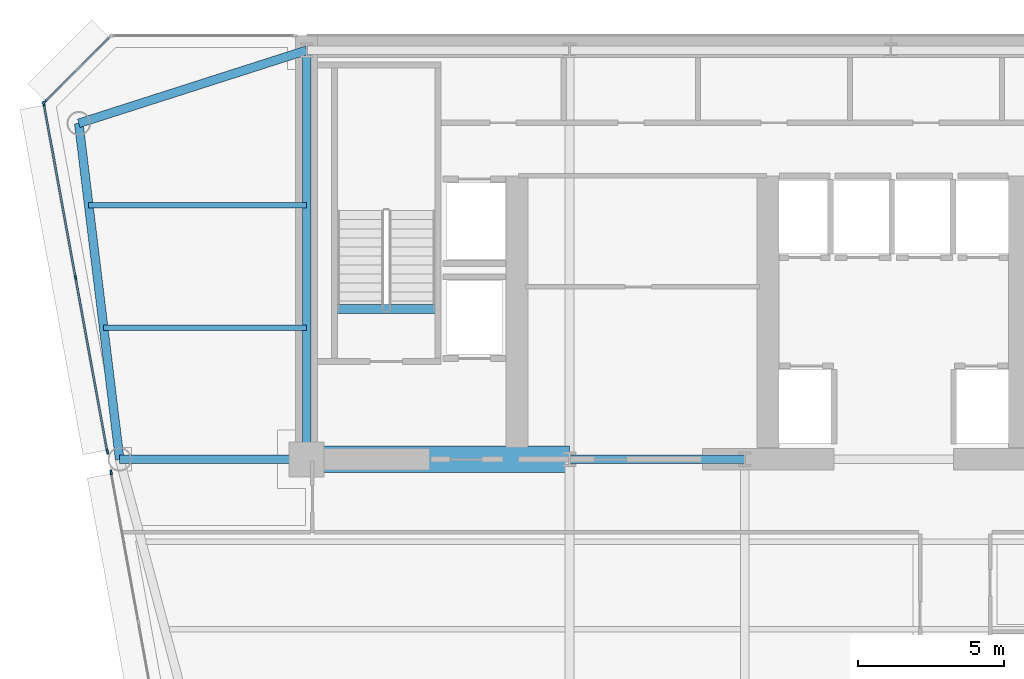
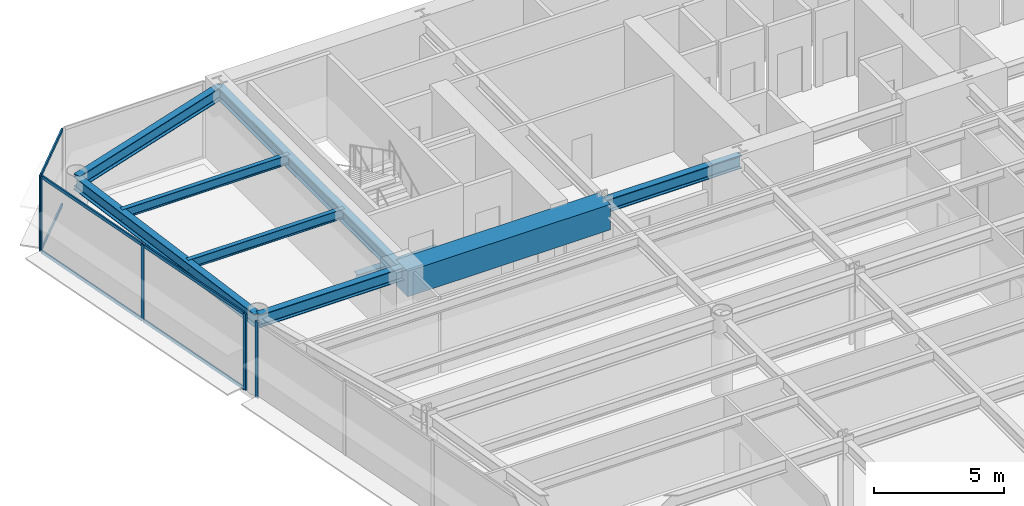
# One storey, part 7 of 17: 11 members, 9 beams, 3 elements without a shape of their own.
"""IFC4 building model written with IfcOpenShell, lengths in metres."""

from ifc_helpers import new_model, si_unit, direction, frame, origin, origin_2d, place, context, subcontext, project, spatial, rectangle, i_section, extrude, source, transform, mapped, material, layer, layer_set, material_profile, profile_set, type_object, element, aggregate, save


model = new_model("IFC4")

# Units and contexts
model_context = context("Model", 3, precision=1e-05, world=origin(), true_north=direction((0.0, 1.0)))
body_context = subcontext(model_context, "Body", "Model", "MODEL_VIEW")
ifc_project = project(units=[si_unit("LENGTHUNIT", "METRE"), si_unit("AREAUNIT", "SQUARE_METRE"), si_unit("VOLUMEUNIT", "CUBIC_METRE"), si_unit("PLANEANGLEUNIT", "RADIAN"), si_unit("MASSUNIT", "GRAM", prefix="KILO")], contexts=[model_context])

# Site, building, storey
site_placement = place(None, origin())
site = spatial("IfcSite", under=ifc_project, at=site_placement, CompositionType="ELEMENT")
building_placement = place(site_placement, origin())
building = spatial("IfcBuilding", under=site, at=building_placement, Name="Vaeldorn Concourse Tower", CompositionType="ELEMENT")
storey_placement = place(building_placement, frame((0.0, 0.0, 157.60009765625)))
storey = spatial("IfcBuildingStorey", under=building, at=storey_placement, Name="L40", CompositionType="ELEMENT", Elevation=157.60009765625)

# Beams
ifc_material_1 = material(Name="Concrete C60/75", Category="concrete")
ifc_material_profile_1 = material_profile(ifc_material_1, rectangle(XDim=0.89990234375, YDim=1.199951171875, at=origin_2d()), Name="RC 900x1200")
ifc_profile_set_1 = profile_set([ifc_material_profile_1], Name="Concrete C60/75")
beam_type_1 = type_object("IfcBeamType", Name="BM-CB-RC900", PredefinedType="BEAM", material=ifc_profile_set_1)
shared_shape_1 = source(origin(), body_context, "Body", "SweptSolid", [
    extrude(rectangle(XDim=0.89990234375, YDim=1.199951171875, at=origin_2d()), origin(), (0.0, 0.0, 1.0), 9.0),
])
beam_1_placement = place(storey_placement, frame((14.0, 36.5, 2.97998046875), z_axis=(1.0, 0.0, 0.0), x_axis=(0.0, 1.0, 0.0)))
element("IfcBeam", 1, at=beam_1_placement, inside=storey, type_object=beam_type_1, Name="Core Coupling Beam L40-1", PredefinedType="BEAM", context=body_context, shape_type="MappedRepresentation", body=[
    mapped(shared_shape_1, transform((0.0, 0.0, 0.0), scale=1.0)),
])
ifc_material_2 = material(Name="Steel S355", Category="steel")
ifc_material_profile_2 = material_profile(ifc_material_2, i_section(OverallWidth=0.300048828125, OverallDepth=0.340087890625, WebThickness=0.011962890625, FlangeThickness=0.021484375, FilletRadius=0.027099609375, at=origin_2d()), Name="HEB 340")
ifc_profile_set_2 = profile_set([ifc_material_profile_2], Name="Steel S355")
beam_type_2 = type_object("IfcBeamType", Name="BM-ST-TRIM", PredefinedType="BEAM", material=ifc_profile_set_2)
shared_shape_2 = source(origin(), body_context, "Body", "SweptSolid", [
    extrude(i_section(OverallWidth=0.300048828125, OverallDepth=0.340087890625, WebThickness=0.011962890625, FlangeThickness=0.021484375, FilletRadius=0.027099609375, at=origin_2d()), origin(), (0.0, 0.0, 1.0), 3.590087890625),
])
beam_2_placement = place(storey_placement, frame((14.929931640625, 41.639892578125, -0.39013671875), z_axis=(1.0, 0.0, 0.0), x_axis=(0.0, 1.0, 0.0)))
element("IfcBeam", 2, at=beam_2_placement, inside=storey, type_object=beam_type_2, Name="Stair Landing Trimmer Beam ST-1 L40", PredefinedType="BEAM", context=body_context, shape_type="MappedRepresentation", body=[
    mapped(shared_shape_2, transform((0.0, 0.0, 0.0), scale=1.0)),
])
ifc_material_profile_3 = material_profile(ifc_material_2, i_section(OverallWidth=0.18994140625, OverallDepth=0.449951171875, WebThickness=0.009521484375, FlangeThickness=0.0146484375, FilletRadius=0.02099609375, at=origin_2d()), Name="IPE 450")
ifc_profile_set_3 = profile_set([ifc_material_profile_3], Name="Steel S355")
beam_type_3 = type_object("IfcBeamType", Name="BM-JS-IPE450", PredefinedType="JOIST", material=ifc_profile_set_3)
shared_shape_3 = source(origin(), body_context, "Body", "SweptSolid", [
    extrude(i_section(OverallWidth=0.18994140625, OverallDepth=0.449951171875, WebThickness=0.009521484375, FlangeThickness=0.0146484375, FilletRadius=0.02099609375, at=origin_2d()), origin(), (0.0, 0.0, 1.0), 6.94775390625),
])
beam_3_placement = place(storey_placement, frame((7.05224609375, 41.0, 3.35498046875), z_axis=(1.0, 0.0, 0.0), x_axis=(0.0, 1.0, 0.0)))
element("IfcBeam", 3, at=beam_3_placement, inside=storey, type_object=beam_type_3, Name="Beam JS-L40-NW-410", PredefinedType="JOIST", context=body_context, shape_type="MappedRepresentation", body=[
    mapped(shared_shape_3, transform((0.0, 0.0, 0.0), scale=1.0)),
])
shared_shape_4 = source(origin(), body_context, "Body", "SweptSolid", [
    extrude(i_section(OverallWidth=0.18994140625, OverallDepth=0.449951171875, WebThickness=0.009521484375, FlangeThickness=0.0146484375, FilletRadius=0.02099609375, at=origin_2d()), origin(), (0.0, 0.0, 1.0), 7.458984375),
])
beam_4_placement = place(storey_placement, frame((6.541015625, 45.199951171875, 3.35498046875), z_axis=(1.0, 0.0, 0.0), x_axis=(0.0, 1.0, 0.0)))
element("IfcBeam", 4, at=beam_4_placement, inside=storey, type_object=beam_type_3, Name="Beam JS-L40-NW-452", PredefinedType="JOIST", context=body_context, shape_type="MappedRepresentation", body=[
    mapped(shared_shape_4, transform((0.0, 0.0, 0.0), scale=1.0)),
])
ifc_material_profile_4 = material_profile(ifc_material_2, i_section(OverallWidth=0.300048828125, OverallDepth=0.60009765625, WebThickness=0.015380859375, FlangeThickness=0.030029296875, FilletRadius=0.027099609375, at=origin_2d()), Name="HEB 600")
ifc_profile_set_4 = profile_set([ifc_material_profile_4], Name="Steel S355")
beam_type_4 = type_object("IfcBeamType", Name="BM-PG-HEB600", PredefinedType="BEAM", material=ifc_profile_set_4)
shared_shape_5 = source(origin(), body_context, "Body", "SweptSolid", [
    extrude(i_section(OverallWidth=0.300048828125, OverallDepth=0.60009765625, WebThickness=0.015380859375, FlangeThickness=0.030029296875, FilletRadius=0.027099609375, at=origin_2d()), origin(), (0.0, 0.0, 1.0), 6.0),
])
beam_5_placement = place(storey_placement, frame((23.0, 36.5, 3.27978515625), z_axis=(1.0, 0.0, 0.0), x_axis=(0.0, 1.0, 0.0)))
element("IfcBeam", 5, at=beam_5_placement, inside=storey, type_object=beam_type_4, Name="Beam BM-L40-C-FC2-C-FC3", PredefinedType="BEAM", context=body_context, shape_type="MappedRepresentation", body=[
    mapped(shared_shape_5, transform((0.0, 0.0, 0.0), scale=1.0)),
])
shared_shape_6 = source(origin(), body_context, "Body", "SweptSolid", [
    extrude(i_section(OverallWidth=0.300048828125, OverallDepth=0.60009765625, WebThickness=0.015380859375, FlangeThickness=0.030029296875, FilletRadius=0.027099609375, at=origin_2d()), origin(), (0.0, 0.0, 1.0), 14.0),
])
beam_6_placement = place(storey_placement, frame((14.0, 36.5, 3.27978515625), z_axis=(0.0, 1.0, 0.0), x_axis=(-1.0, 0.0, 0.0)))
element("IfcBeam", 6, at=beam_6_placement, inside=storey, type_object=beam_type_4, Name="Beam BM-L40-C-FC1-C-HC1", PredefinedType="BEAM", context=body_context, shape_type="MappedRepresentation", body=[
    mapped(shared_shape_6, transform((0.0, 0.0, 0.0), scale=1.0)),
])
shared_shape_7 = source(origin(), body_context, "Body", "SweptSolid", [
    extrude(i_section(OverallWidth=0.300048828125, OverallDepth=0.60009765625, WebThickness=0.015380859375, FlangeThickness=0.030029296875, FilletRadius=0.027099609375, at=origin_2d()), origin(), (0.0, 0.0, 1.0), 8.19091796875),
])
beam_7_placement = place(storey_placement, frame((6.199951171875, 48.0, 3.27978515625), z_axis=(0.952282843383, 0.305216949396, 0.0), x_axis=(-0.305216949396, 0.952282843383, 0.0)))
element("IfcBeam", 7, at=beam_7_placement, inside=storey, type_object=beam_type_4, Name="Beam BM-L40-C-NW1-C-HC1", PredefinedType="BEAM", context=body_context, shape_type="MappedRepresentation", body=[
    mapped(shared_shape_7, transform((0.0, 0.0, 0.0), scale=1.0)),
])
shared_shape_8 = source(origin(), body_context, "Body", "SweptSolid", [
    extrude(i_section(OverallWidth=0.300048828125, OverallDepth=0.60009765625, WebThickness=0.015380859375, FlangeThickness=0.030029296875, FilletRadius=0.027099609375, at=origin_2d()), origin(), (0.0, 0.0, 1.0), 11.5849609375),
])
beam_8_placement = place(storey_placement, frame((6.199951171875, 48.0, 3.27978515625), z_axis=(0.120859382899, -0.992669637677, 0.0), x_axis=(0.992669637677, 0.120859382899, 0.0)))
element("IfcBeam", 8, at=beam_8_placement, inside=storey, type_object=beam_type_4, Name="Beam BM-L40-C-NW1-C-NW2", PredefinedType="BEAM", context=body_context, shape_type="MappedRepresentation", body=[
    mapped(shared_shape_8, transform((0.0, 0.0, 0.0), scale=1.0)),
])
shared_shape_9 = source(origin(), body_context, "Body", "SweptSolid", [
    extrude(i_section(OverallWidth=0.300048828125, OverallDepth=0.60009765625, WebThickness=0.015380859375, FlangeThickness=0.030029296875, FilletRadius=0.027099609375, at=origin_2d()), origin(), (0.0, 0.0, 1.0), 6.39990234375),
])
beam_9_placement = place(storey_placement, frame((7.60009765625, 36.5, 3.27978515625), z_axis=(1.0, 0.0, 0.0), x_axis=(0.0, 1.0, 0.0)))
element("IfcBeam", 9, at=beam_9_placement, inside=storey, type_object=beam_type_4, Name="Beam BM-L40-C-NW2-C-FC1", PredefinedType="BEAM", context=body_context, shape_type="MappedRepresentation", body=[
    mapped(shared_shape_9, transform((0.0, 0.0, 0.0), scale=1.0)),
])

# Curtain wall, member
ifc_material_3 = material(Name="Anodised Bronze Aluminium", Category="aluminium")
ifc_layer = layer(ifc_material_3, 0.18994140625)
ifc_layer_set = layer_set([ifc_layer], Name="Anodised Bronze Aluminium")
curtain_wall_type = type_object("IfcCurtainWallType", Name="CW-SYS-03", PredefinedType="NOTDEFINED", material=ifc_layer_set)
curtain_wall_1_placement = place(storey_placement, origin())
curtain_wall_1 = element("IfcCurtainWall", 10, at=curtain_wall_1_placement, inside=storey, type_object=curtain_wall_type, Name="Unitised Curtain Wall CW-L40-E10-1", PredefinedType="NOTDEFINED")
ifc_material_profile_5 = material_profile(ifc_material_3, rectangle(XDim=0.06494140625, YDim=0.169921875, at=origin_2d()), Name="CWM 65x170")
ifc_profile_set_5 = profile_set([ifc_material_profile_5], Name="Anodised Bronze Aluminium")
member_type_1 = type_object("IfcMemberType", Name="CWM-BRONZE-170", PredefinedType="MULLION", material=ifc_profile_set_5)
shared_shape_10 = source(origin(), body_context, "Body", "SweptSolid", [
    extrude(rectangle(XDim=0.06494140625, YDim=0.169921875, at=origin_2d()), origin(), (0.0, 0.0, 1.0), 3.579833984375),
])
member_1_placement = place(storey_placement, frame((5.02294921875, 48.722900390625, 0.0), z_axis=(0.0, 0.0, 1.0), x_axis=(0.707106781187, -0.707106781187, 0.0)))
member_1 = element("IfcMember", 11, at=member_1_placement, type_object=member_type_1, Name="CW-03 mullion 2", PredefinedType="MULLION", context=body_context, shape_type="MappedRepresentation", body=[
    mapped(shared_shape_10, transform((0.0, 0.0, 0.0), scale=1.0)),
])

# Curtain wall, members
curtain_wall_2_placement = place(storey_placement, origin())
curtain_wall_2 = element("IfcCurtainWall", 12, at=curtain_wall_2_placement, inside=storey, type_object=curtain_wall_type, Name="Unitised Curtain Wall CW-L40-E11-1", PredefinedType="NOTDEFINED")
member_2_placement = place(storey_placement, frame((5.005859375, 48.66796875, 0.0), z_axis=(0.0, 0.0, 1.0), x_axis=(0.983767579285, 0.179447345892, 0.0)))
member_2 = element("IfcMember", 13, at=member_2_placement, type_object=member_type_1, Name="CW-03 mullion 1", PredefinedType="MULLION", context=body_context, shape_type="MappedRepresentation", body=[
    mapped(shared_shape_10, transform((0.0, 0.0, 0.0), scale=1.0)),
])
member_3_placement = place(storey_placement, frame((6.091796875, 42.71484375, 0.0), z_axis=(0.0, 0.0, 1.0), x_axis=(0.983767579285, 0.179447345892, 0.0)))
member_3 = element("IfcMember", 14, at=member_3_placement, type_object=member_type_1, Name="CW-03 mullion 2", PredefinedType="MULLION", context=body_context, shape_type="MappedRepresentation", body=[
    mapped(shared_shape_10, transform((0.0, 0.0, 0.0), scale=1.0)),
])
member_4_placement = place(storey_placement, frame((7.177734375, 36.761474609375, 0.0), z_axis=(0.0, 0.0, 1.0), x_axis=(0.983767579285, 0.179447345892, 0.0)))
member_4 = element("IfcMember", 15, at=member_4_placement, type_object=member_type_1, Name="CW-03 mullion 3", PredefinedType="MULLION", context=body_context, shape_type="MappedRepresentation", body=[
    mapped(shared_shape_10, transform((0.0, 0.0, 0.0), scale=1.0)),
])

# Curtain wall, member
curtain_wall_3_placement = place(storey_placement, origin())
curtain_wall_3 = element("IfcCurtainWall", 16, at=curtain_wall_3_placement, inside=storey, type_object=curtain_wall_type, Name="Unitised Curtain Wall CW-L40-E11-2", PredefinedType="NOTDEFINED")
member_5_placement = place(storey_placement, frame((7.30712890625, 36.051513671875, 0.0), z_axis=(0.0, 0.0, 1.0), x_axis=(0.983767841325, 0.179445909331, 0.0)))
member_5 = element("IfcMember", 17, at=member_5_placement, type_object=member_type_1, Name="CW-03 mullion 1", PredefinedType="MULLION", context=body_context, shape_type="MappedRepresentation", body=[
    mapped(shared_shape_10, transform((0.0, 0.0, 0.0), scale=1.0)),
])
aggregate(curtain_wall_3, [member_5])

# Member
ifc_material_profile_6 = material_profile(ifc_material_3, rectangle(XDim=0.06494140625, YDim=0.14990234375, at=origin_2d()), Name="CWT 65x150")
ifc_profile_set_6 = profile_set([ifc_material_profile_6], Name="Anodised Bronze Aluminium")
member_type_2 = type_object("IfcMemberType", Name="CWT-BRONZE-150", PredefinedType="USERDEFINED", material=ifc_profile_set_6)
shared_shape_11 = source(origin(), body_context, "Body", "SweptSolid", [
    extrude(rectangle(XDim=0.06494140625, YDim=0.14990234375, at=origin_2d()), origin(), (0.0, 0.0, 1.0), 3.123046875),
])
member_6_placement = place(storey_placement, frame((7.254150390625, 50.9541015625, 0.032470703125), z_axis=(-0.707106781187, -0.707106781187, 0.0), x_axis=(0.707106781187, -0.707106781187, 0.0)))
member_6 = element("IfcMember", 18, at=member_6_placement, type_object=member_type_2, Name="CW-03 transom 1.1", ObjectType="TRANSOM", PredefinedType="USERDEFINED", context=body_context, shape_type="MappedRepresentation", body=[
    mapped(shared_shape_11, transform((0.0, 0.0, 0.0), scale=1.0)),
])

member_7_placement = place(storey_placement, frame((7.254150390625, 50.9541015625, 3.54736328125), z_axis=(-0.707106781187, -0.707106781187, 0.0), x_axis=(0.707106781187, -0.707106781187, 0.0)))
member_7 = element("IfcMember", 19, at=member_7_placement, type_object=member_type_2, Name="CW-03 transom 1.2", ObjectType="TRANSOM", PredefinedType="USERDEFINED", context=body_context, shape_type="MappedRepresentation", body=[
    mapped(shared_shape_11, transform((0.0, 0.0, 0.0), scale=1.0)),
])

aggregate(curtain_wall_1, [member_1, member_6, member_7])

shared_shape_12 = source(origin(), body_context, "Body", "SweptSolid", [
    extrude(rectangle(XDim=0.06494140625, YDim=0.14990234375, at=origin_2d()), origin(), (0.0, 0.0, 1.0), 5.986572265625),
])
member_8_placement = place(storey_placement, frame((6.09765625, 42.682861328125, 0.032470703125), z_axis=(0.179438079261, -0.98376926955, 0.0), x_axis=(0.98376926955, 0.179438079261, 0.0)))
member_8 = element("IfcMember", 20, at=member_8_placement, type_object=member_type_2, Name="CW-03 transom 2.1", ObjectType="TRANSOM", PredefinedType="USERDEFINED", context=body_context, shape_type="MappedRepresentation", body=[
    mapped(shared_shape_12, transform((0.0, 0.0, 0.0), scale=1.0)),
])

member_9_placement = place(storey_placement, frame((6.09765625, 42.682861328125, 3.54736328125), z_axis=(0.179438079261, -0.98376926955, 0.0), x_axis=(0.98376926955, 0.179438079261, 0.0)))
member_9 = element("IfcMember", 21, at=member_9_placement, type_object=member_type_2, Name="CW-03 transom 2.2", ObjectType="TRANSOM", PredefinedType="USERDEFINED", context=body_context, shape_type="MappedRepresentation", body=[
    mapped(shared_shape_12, transform((0.0, 0.0, 0.0), scale=1.0)),
])

shared_shape_13 = source(origin(), body_context, "Body", "SweptSolid", [
    extrude(rectangle(XDim=0.06494140625, YDim=0.14990234375, at=origin_2d()), origin(), (0.0, 0.0, 1.0), 5.986328125),
])
member_10_placement = place(storey_placement, frame((5.01171875, 48.635986328125, 0.032470703125), z_axis=(0.179445278506, -0.983767956391, 0.0), x_axis=(0.983767956391, 0.179445278506, 0.0)))
member_10 = element("IfcMember", 22, at=member_10_placement, type_object=member_type_2, Name="CW-03 transom 1.1", ObjectType="TRANSOM", PredefinedType="USERDEFINED", context=body_context, shape_type="MappedRepresentation", body=[
    mapped(shared_shape_13, transform((0.0, 0.0, 0.0), scale=1.0)),
])

member_11_placement = place(storey_placement, frame((5.01171875, 48.635986328125, 3.54736328125), z_axis=(0.179445278506, -0.983767956391, 0.0), x_axis=(0.983767956391, 0.179445278506, 0.0)))
member_11 = element("IfcMember", 23, at=member_11_placement, type_object=member_type_2, Name="CW-03 transom 1.2", ObjectType="TRANSOM", PredefinedType="USERDEFINED", context=body_context, shape_type="MappedRepresentation", body=[
    mapped(shared_shape_13, transform((0.0, 0.0, 0.0), scale=1.0)),
])

aggregate(curtain_wall_2, [member_2, member_3, member_4, member_10, member_11, member_8, member_9])

save(model, "model.ifc")
